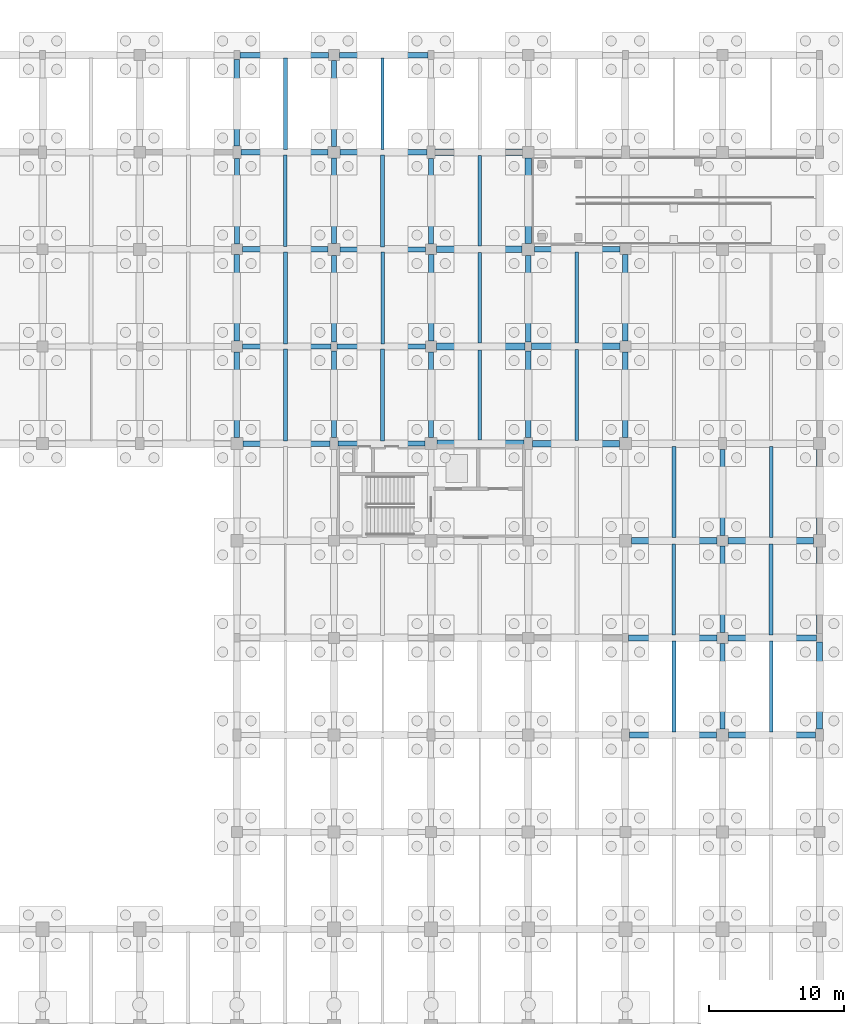
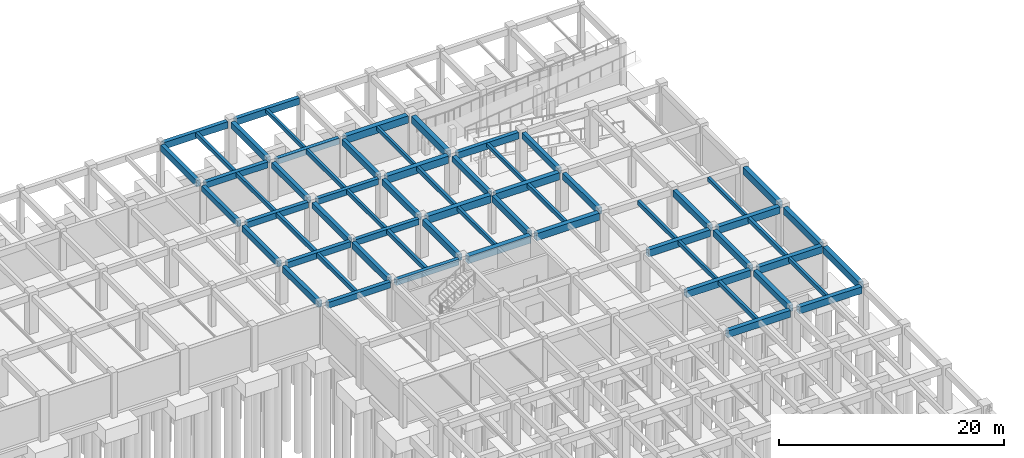
# One storey, part 35 of 47: 64 beams.
"""IFC4 building model written with IfcOpenShell, lengths in metres."""

from ifc_helpers import new_model, si_unit, direction, frame, origin, origin_2d, place, context, subcontext, project, spatial, rectangle, extrude, material, material_profile, profile_set, type_object, element, save


model = new_model("IFC4")

# Units and contexts
model_context = context("Model", 3, precision=1e-05, world=origin(), true_north=direction((0.0, 1.0)))
body_context = subcontext(model_context, "Body", "Model", "MODEL_VIEW")
ifc_project = project(units=[si_unit("LENGTHUNIT", "METRE"), si_unit("AREAUNIT", "SQUARE_METRE"), si_unit("VOLUMEUNIT", "CUBIC_METRE"), si_unit("PLANEANGLEUNIT", "RADIAN"), si_unit("MASSUNIT", "GRAM", prefix="KILO")], contexts=[model_context])

# Site, building, storey
site_placement = place(None, origin())
site = spatial("IfcSite", under=ifc_project, at=site_placement, CompositionType="ELEMENT")
building_placement = place(site_placement, origin())
building = spatial("IfcBuilding", under=site, at=building_placement, Name="Thalmaran Polytechnic", CompositionType="ELEMENT")
storey_placement = place(building_placement, frame((0.0, 0.0, -4.5)))
storey = spatial("IfcBuildingStorey", under=building, at=storey_placement, Name="B1", CompositionType="ELEMENT", Elevation=-4.5)

# Beams
ifc_material = material(Name="Concrete C40/50", Category="concrete")
ifc_material_profile_1 = material_profile(ifc_material, rectangle(XDim=0.5, YDim=0.800048828125, at=origin_2d()), Name="RC 500x800")
ifc_profile_set_1 = profile_set([ifc_material_profile_1], Name="Concrete C40/50")
beam_type_1 = type_object("IfcBeamType", Name="BM-RC02", PredefinedType="BEAM", material=ifc_profile_set_1)
beam_1_placement = place(storey_placement, frame((144.43994140625, 93.60009765625, 3.7900390625), z_axis=(1.0, 0.0, 0.0), x_axis=(0.0, 1.0, 0.0)))
element("IfcBeam", 1, at=beam_1_placement, inside=storey, type_object=beam_type_1, Name="Grid Beam B02 B1 X(20,13)", PredefinedType="BEAM", context=body_context, shape_type="SweptSolid", body=[
    extrude(rectangle(XDim=0.5, YDim=0.800048828125, at=origin_2d()), origin(), (0.0, 0.0, 1.0), 6.4599609375),
])
beam_2_placement = place(storey_placement, frame((144.409912109375, 100.800048828125, 3.7900390625), z_axis=(1.0, 0.0, 0.0), x_axis=(0.0, 1.0, 0.0)))
element("IfcBeam", 2, at=beam_2_placement, inside=storey, type_object=beam_type_1, Name="Grid Beam B02 B1 X(20,14)", PredefinedType="BEAM", context=body_context, shape_type="SweptSolid", body=[
    extrude(rectangle(XDim=0.5, YDim=0.800048828125, at=origin_2d()), origin(), (0.0, 0.0, 1.0), 6.565185546875),
])
beam_3_placement = place(storey_placement, frame((144.39990234375, 108.0, 3.7900390625), z_axis=(1.0, 0.0, 0.0), x_axis=(0.0, 1.0, 0.0)))
element("IfcBeam", 3, at=beam_3_placement, inside=storey, type_object=beam_type_1, Name="Grid Beam B02 B1 X(20,15)", PredefinedType="BEAM", context=body_context, shape_type="SweptSolid", body=[
    extrude(rectangle(XDim=0.5, YDim=0.800048828125, at=origin_2d()), origin(), (0.0, 0.0, 1.0), 6.35009765625),
])
beam_4_placement = place(storey_placement, frame((144.300048828125, 115.199951171875, 3.7900390625), z_axis=(1.0, 0.0, 0.0), x_axis=(0.0, 1.0, 0.0)))
element("IfcBeam", 4, at=beam_4_placement, inside=storey, type_object=beam_type_1, Name="Grid Beam B02 B1 X(20,16)", PredefinedType="BEAM", context=body_context, shape_type="SweptSolid", body=[
    extrude(rectangle(XDim=0.5, YDim=0.800048828125, at=origin_2d()), origin(), (0.0, 0.0, 1.0), 6.4599609375),
])
ifc_material_profile_2 = material_profile(ifc_material, rectangle(XDim=0.449951171875, YDim=0.75, at=origin_2d()), Name="RC 450x750")
ifc_profile_set_2 = profile_set([ifc_material_profile_2], Name="Concrete C40/50")
beam_type_2 = type_object("IfcBeamType", Name="BM-RC03", PredefinedType="BEAM", material=ifc_profile_set_2)
beam_5_placement = place(storey_placement, frame((158.699951171875, 72.0, 3.81494140625), z_axis=(1.0, 0.0, 0.0), x_axis=(0.0, 1.0, 0.0)))
element("IfcBeam", 5, at=beam_5_placement, inside=storey, type_object=beam_type_2, Name="Grid Beam B03 B1 X(22,10)", PredefinedType="BEAM", context=body_context, shape_type="SweptSolid", body=[
    extrude(rectangle(XDim=0.449951171875, YDim=0.75, at=origin_2d()), origin(), (0.0, 0.0, 1.0), 6.4599609375),
])
beam_6_placement = place(storey_placement, frame((158.625, 79.199951171875, 3.81494140625), z_axis=(1.0, 0.0, 0.0), x_axis=(0.0, 1.0, 0.0)))
element("IfcBeam", 6, at=beam_6_placement, inside=storey, type_object=beam_type_2, Name="Grid Beam B03 B1 X(22,11)", PredefinedType="BEAM", context=body_context, shape_type="SweptSolid", body=[
    extrude(rectangle(XDim=0.449951171875, YDim=0.75, at=origin_2d()), origin(), (0.0, 0.0, 1.0), 6.56494140625),
])
beam_7_placement = place(storey_placement, frame((158.85009765625, 86.39990234375, 3.81494140625), z_axis=(1.0, 0.0, 0.0), x_axis=(0.0, 1.0, 0.0)))
element("IfcBeam", 7, at=beam_7_placement, inside=storey, type_object=beam_type_2, Name="Grid Beam B03 B1 X(22,12)", PredefinedType="BEAM", context=body_context, shape_type="SweptSolid", body=[
    extrude(rectangle(XDim=0.449951171875, YDim=0.75, at=origin_2d()), origin(), (0.0, 0.0, 1.0), 6.349853515625),
])
ifc_material_profile_3 = material_profile(ifc_material, rectangle(XDim=0.39990234375, YDim=0.64990234375, at=origin_2d()), Name="RC 400x650")
ifc_profile_set_3 = profile_set([ifc_material_profile_3], Name="Concrete C40/50")
beam_type_3 = type_object("IfcBeamType", Name="BM-RC06", PredefinedType="BEAM", material=ifc_profile_set_3)
beam_8_placement = place(storey_placement, frame((130.0400390625, 93.60009765625, 3.864990234375), z_axis=(1.0, 0.0, 0.0), x_axis=(0.0, 1.0, 0.0)))
element("IfcBeam", 8, at=beam_8_placement, inside=storey, type_object=beam_type_3, Name="Grid Beam B06 B1 X(18,13)", PredefinedType="BEAM", context=body_context, shape_type="SweptSolid", body=[
    extrude(rectangle(XDim=0.39990234375, YDim=0.64990234375, at=origin_2d()), origin(), (0.0, 0.0, 1.0), 6.4599609375),
])
beam_9_placement = place(storey_placement, frame((130.010009765625, 100.800048828125, 3.864990234375), z_axis=(1.0, 0.0, 0.0), x_axis=(0.0, 1.0, 0.0)))
element("IfcBeam", 9, at=beam_9_placement, inside=storey, type_object=beam_type_3, Name="Grid Beam B06 B1 X(18,14)", PredefinedType="BEAM", context=body_context, shape_type="SweptSolid", body=[
    extrude(rectangle(XDim=0.39990234375, YDim=0.64990234375, at=origin_2d()), origin(), (0.0, 0.0, 1.0), 6.56494140625),
])
beam_10_placement = place(storey_placement, frame((130.0, 108.0, 3.864990234375), z_axis=(1.0, 0.0, 0.0), x_axis=(0.0, 1.0, 0.0)))
element("IfcBeam", 10, at=beam_10_placement, inside=storey, type_object=beam_type_3, Name="Grid Beam B06 B1 X(18,15)", PredefinedType="BEAM", context=body_context, shape_type="SweptSolid", body=[
    extrude(rectangle(XDim=0.39990234375, YDim=0.64990234375, at=origin_2d()), origin(), (0.0, 0.0, 1.0), 6.35009765625),
])
beam_11_placement = place(storey_placement, frame((129.89990234375, 115.199951171875, 3.864990234375), z_axis=(1.0, 0.0, 0.0), x_axis=(0.0, 1.0, 0.0)))
element("IfcBeam", 11, at=beam_11_placement, inside=storey, type_object=beam_type_3, Name="Grid Beam B06 B1 X(18,16)", PredefinedType="BEAM", context=body_context, shape_type="SweptSolid", body=[
    extrude(rectangle(XDim=0.39990234375, YDim=0.64990234375, at=origin_2d()), origin(), (0.0, 0.0, 1.0), 6.460205078125),
])
ifc_material_profile_4 = material_profile(ifc_material, rectangle(XDim=0.39990234375, YDim=0.6298828125, at=origin_2d()), Name="RC 400x630")
ifc_profile_set_4 = profile_set([ifc_material_profile_4], Name="Concrete C40/50")
beam_type_4 = type_object("IfcBeamType", Name="BM-RC07", PredefinedType="BEAM", material=ifc_profile_set_4)
beam_12_placement = place(storey_placement, frame((129.60009765625, 101.2099609375, 3.85498046875), z_axis=(0.0, 1.0, 0.0), x_axis=(-1.0, 0.0, 0.0)))
element("IfcBeam", 12, at=beam_12_placement, inside=storey, type_object=beam_type_4, Name="Grid Beam B07 B1 Y(18,14)", PredefinedType="BEAM", context=body_context, shape_type="SweptSolid", body=[
    extrude(rectangle(XDim=0.39990234375, YDim=0.6298828125, at=origin_2d()), origin(), (0.0, 0.0, 1.0), 6.39013671875),
])
beam_13_placement = place(storey_placement, frame((136.800048828125, 101.125, 3.875), z_axis=(0.0, 1.0, 0.0), x_axis=(-1.0, 0.0, 0.0)))
element("IfcBeam", 13, at=beam_13_placement, inside=storey, type_object=beam_type_4, Name="Grid Beam B07 B1 Y(19,14)", PredefinedType="BEAM", context=body_context, shape_type="SweptSolid", body=[
    extrude(rectangle(XDim=0.39990234375, YDim=0.6298828125, at=origin_2d()), origin(), (0.0, 0.0, 1.0), 6.425048828125),
])
beam_14_placement = place(storey_placement, frame((144.0, 101.2099609375, 3.875), z_axis=(0.0, 1.0, 0.0), x_axis=(-1.0, 0.0, 0.0)))
element("IfcBeam", 14, at=beam_14_placement, inside=storey, type_object=beam_type_4, Name="Grid Beam B07 B1 Y(20,14)", PredefinedType="BEAM", context=body_context, shape_type="SweptSolid", body=[
    extrude(rectangle(XDim=0.39990234375, YDim=0.6298828125, at=origin_2d()), origin(), (0.0, 0.0, 1.0), 6.39013671875),
])
beam_15_placement = place(storey_placement, frame((151.199951171875, 101.125, 3.875), z_axis=(0.0, 1.0, 0.0), x_axis=(-1.0, 0.0, 0.0)))
element("IfcBeam", 15, at=beam_15_placement, inside=storey, type_object=beam_type_4, Name="Grid Beam B07 B1 Y(21,14)", PredefinedType="BEAM", context=body_context, shape_type="SweptSolid", body=[
    extrude(rectangle(XDim=0.39990234375, YDim=0.6298828125, at=origin_2d()), origin(), (0.0, 0.0, 1.0), 6.425048828125),
])
beam_16_placement = place(storey_placement, frame((158.39990234375, 101.2099609375, 3.875), z_axis=(0.0, 1.0, 0.0), x_axis=(-1.0, 0.0, 0.0)))
element("IfcBeam", 16, at=beam_16_placement, inside=storey, type_object=beam_type_4, Name="Grid Beam B07 B1 Y(22,14)", PredefinedType="BEAM", context=body_context, shape_type="SweptSolid", body=[
    extrude(rectangle(XDim=0.39990234375, YDim=0.6298828125, at=origin_2d()), origin(), (0.0, 0.0, 1.0), 6.39013671875),
])
ifc_material_profile_5 = material_profile(ifc_material, rectangle(XDim=0.389892578125, YDim=0.68505859375, at=origin_2d()), Name="RC 390x685")
ifc_profile_set_5 = profile_set([ifc_material_profile_5], Name="Concrete C40/50")
beam_type_5 = type_object("IfcBeamType", Name="BM-RC08", PredefinedType="BEAM", material=ifc_profile_set_5)
beam_17_placement = place(storey_placement, frame((129.60009765625, 115.64990234375, 3.827392578125), z_axis=(0.0, 1.0, 0.0), x_axis=(-1.0, 0.0, 0.0)))
element("IfcBeam", 17, at=beam_17_placement, inside=storey, type_object=beam_type_5, Name="Grid Beam B08 B1 Y(18,16)", PredefinedType="BEAM", context=body_context, shape_type="SweptSolid", body=[
    extrude(rectangle(XDim=0.389892578125, YDim=0.68505859375, at=origin_2d()), origin(), (0.0, 0.0, 1.0), 6.425048828125),
])
beam_18_placement = place(storey_placement, frame((136.800048828125, 115.639892578125, 3.847412109375), z_axis=(0.0, 1.0, 0.0), x_axis=(-1.0, 0.0, 0.0)))
element("IfcBeam", 18, at=beam_18_placement, inside=storey, type_object=beam_type_5, Name="Grid Beam B08 B1 Y(19,16)", PredefinedType="BEAM", context=body_context, shape_type="SweptSolid", body=[
    extrude(rectangle(XDim=0.389892578125, YDim=0.68505859375, at=origin_2d()), origin(), (0.0, 0.0, 1.0), 6.35009765625),
])
ifc_material_profile_6 = material_profile(ifc_material, rectangle(XDim=0.389892578125, YDim=0.68994140625, at=origin_2d()), Name="RC 390x690")
ifc_profile_set_6 = profile_set([ifc_material_profile_6], Name="Concrete C40/50")
beam_type_6 = type_object("IfcBeamType", Name="BM-RC09", PredefinedType="BEAM", material=ifc_profile_set_6)
beam_19_placement = place(storey_placement, frame((165.60009765625, 79.610107421875, 3.844970703125), z_axis=(0.0, 1.0, 0.0), x_axis=(-1.0, 0.0, 0.0)))
element("IfcBeam", 19, at=beam_19_placement, inside=storey, type_object=beam_type_6, Name="Grid Beam B09 B1 Y(23,11)", PredefinedType="BEAM", context=body_context, shape_type="SweptSolid", body=[
    extrude(rectangle(XDim=0.389892578125, YDim=0.68994140625, at=origin_2d()), origin(), (0.0, 0.0, 1.0), 6.389892578125),
])
ifc_material_profile_7 = material_profile(ifc_material, rectangle(XDim=0.389892578125, YDim=0.695068359375, at=origin_2d()), Name="RC 390x695")
ifc_profile_set_7 = profile_set([ifc_material_profile_7], Name="Concrete C40/50")
beam_type_7 = type_object("IfcBeamType", Name="BM-RC10", PredefinedType="BEAM", material=ifc_profile_set_7)
beam_20_placement = place(storey_placement, frame((129.60009765625, 94.0400390625, 3.822509765625), z_axis=(0.0, 1.0, 0.0), x_axis=(-1.0, 0.0, 0.0)))
element("IfcBeam", 20, at=beam_20_placement, inside=storey, type_object=beam_type_7, Name="Grid Beam B10 B1 Y(18,13)", PredefinedType="BEAM", context=body_context, shape_type="SweptSolid", body=[
    extrude(rectangle(XDim=0.389892578125, YDim=0.695068359375, at=origin_2d()), origin(), (0.0, 0.0, 1.0), 6.349853515625),
])
beam_21_placement = place(storey_placement, frame((136.800048828125, 94.050048828125, 3.842529296875), z_axis=(0.0, 1.0, 0.0), x_axis=(-1.0, 0.0, 0.0)))
element("IfcBeam", 21, at=beam_21_placement, inside=storey, type_object=beam_type_7, Name="Grid Beam B10 B1 Y(19,13)", PredefinedType="BEAM", context=body_context, shape_type="SweptSolid", body=[
    extrude(rectangle(XDim=0.389892578125, YDim=0.695068359375, at=origin_2d()), origin(), (0.0, 0.0, 1.0), 6.425048828125),
])
beam_22_placement = place(storey_placement, frame((144.0, 94.0400390625, 3.842529296875), z_axis=(0.0, 1.0, 0.0), x_axis=(-1.0, 0.0, 0.0)))
element("IfcBeam", 22, at=beam_22_placement, inside=storey, type_object=beam_type_7, Name="Grid Beam B10 B1 Y(20,13)", PredefinedType="BEAM", context=body_context, shape_type="SweptSolid", body=[
    extrude(rectangle(XDim=0.389892578125, YDim=0.695068359375, at=origin_2d()), origin(), (0.0, 0.0, 1.0), 6.349853515625),
])
beam_23_placement = place(storey_placement, frame((151.199951171875, 94.050048828125, 3.842529296875), z_axis=(0.0, 1.0, 0.0), x_axis=(-1.0, 0.0, 0.0)))
element("IfcBeam", 23, at=beam_23_placement, inside=storey, type_object=beam_type_7, Name="Grid Beam B10 B1 Y(21,13)", PredefinedType="BEAM", context=body_context, shape_type="SweptSolid", body=[
    extrude(rectangle(XDim=0.389892578125, YDim=0.695068359375, at=origin_2d()), origin(), (0.0, 0.0, 1.0), 6.425048828125),
])
beam_24_placement = place(storey_placement, frame((158.39990234375, 94.0400390625, 3.842529296875), z_axis=(0.0, 1.0, 0.0), x_axis=(-1.0, 0.0, 0.0)))
element("IfcBeam", 24, at=beam_24_placement, inside=storey, type_object=beam_type_7, Name="Grid Beam B10 B1 Y(22,13)", PredefinedType="BEAM", context=body_context, shape_type="SweptSolid", body=[
    extrude(rectangle(XDim=0.389892578125, YDim=0.695068359375, at=origin_2d()), origin(), (0.0, 0.0, 1.0), 6.349853515625),
])
ifc_material_profile_8 = material_profile(ifc_material, rectangle(XDim=0.300048828125, YDim=0.449951171875, at=origin_2d()), Name="RC 300x450")
ifc_profile_set_8 = profile_set([ifc_material_profile_8], Name="Concrete C40/50")
beam_type_8 = type_object("IfcBeamType", Name="BM-RC12", PredefinedType="JOIST", material=ifc_profile_set_8)
beam_25_placement = place(storey_placement, frame((133.199951171875, 101.0, 3.965087890625), z_axis=(0.0, 1.0, 0.0), x_axis=(-1.0, 0.0, 0.0)))
element("IfcBeam", 25, at=beam_25_placement, inside=storey, type_object=beam_type_8, Name="Secondary Floor Rib RB02 B1 (18,14)", PredefinedType="JOIST", context=body_context, shape_type="SweptSolid", body=[
    extrude(rectangle(XDim=0.300048828125, YDim=0.449951171875, at=origin_2d()), origin(), (0.0, 0.0, 1.0), 6.800048828125),
])
beam_26_placement = place(storey_placement, frame((140.39990234375, 93.7900390625, 3.965087890625), z_axis=(0.0, 1.0, 0.0), x_axis=(-1.0, 0.0, 0.0)))
element("IfcBeam", 26, at=beam_26_placement, inside=storey, type_object=beam_type_8, Name="Secondary Floor Rib RB02 B1 (19,13)", PredefinedType="JOIST", context=body_context, shape_type="SweptSolid", body=[
    extrude(rectangle(XDim=0.300048828125, YDim=0.449951171875, at=origin_2d()), origin(), (0.0, 0.0, 1.0), 6.820068359375),
])
beam_27_placement = place(storey_placement, frame((162.0, 72.22509765625, 3.965087890625), z_axis=(0.0, 1.0, 0.0), x_axis=(-1.0, 0.0, 0.0)))
element("IfcBeam", 27, at=beam_27_placement, inside=storey, type_object=beam_type_8, Name="Secondary Floor Rib RB02 B1 (22,10)", PredefinedType="JOIST", context=body_context, shape_type="SweptSolid", body=[
    extrude(rectangle(XDim=0.300048828125, YDim=0.449951171875, at=origin_2d()), origin(), (0.0, 0.0, 1.0), 6.75),
])
ifc_material_profile_9 = material_profile(ifc_material, rectangle(XDim=0.280029296875, YDim=0.449951171875, at=origin_2d()), Name="RC 280x450")
ifc_profile_set_9 = profile_set([ifc_material_profile_9], Name="Concrete C40/50")
beam_type_9 = type_object("IfcBeamType", Name="BM-RC13", PredefinedType="JOIST", material=ifc_profile_set_9)
beam_28_placement = place(storey_placement, frame((133.199951171875, 115.39990234375, 3.965087890625), z_axis=(0.0, 1.0, 0.0), x_axis=(-1.0, 0.0, 0.0)))
element("IfcBeam", 28, at=beam_28_placement, inside=storey, type_object=beam_type_9, Name="Secondary Floor Rib RB03 B1 (18,16)", PredefinedType="JOIST", context=body_context, shape_type="SweptSolid", body=[
    extrude(rectangle(XDim=0.280029296875, YDim=0.449951171875, at=origin_2d()), origin(), (0.0, 0.0, 1.0), 6.800048828125),
])
beam_29_placement = place(storey_placement, frame((140.39990234375, 108.18994140625, 3.965087890625), z_axis=(0.0, 1.0, 0.0), x_axis=(-1.0, 0.0, 0.0)))
element("IfcBeam", 29, at=beam_29_placement, inside=storey, type_object=beam_type_9, Name="Secondary Floor Rib RB03 B1 (19,15)", PredefinedType="JOIST", context=body_context, shape_type="SweptSolid", body=[
    extrude(rectangle(XDim=0.280029296875, YDim=0.449951171875, at=origin_2d()), origin(), (0.0, 0.0, 1.0), 6.820068359375),
])
beam_30_placement = place(storey_placement, frame((147.60009765625, 101.050048828125, 3.965087890625), z_axis=(0.0, 1.0, 0.0), x_axis=(-1.0, 0.0, 0.0)))
element("IfcBeam", 30, at=beam_30_placement, inside=storey, type_object=beam_type_9, Name="Secondary Floor Rib RB03 B1 (20,14)", PredefinedType="JOIST", context=body_context, shape_type="SweptSolid", body=[
    extrude(rectangle(XDim=0.280029296875, YDim=0.449951171875, at=origin_2d()), origin(), (0.0, 0.0, 1.0), 6.699951171875),
])
beam_31_placement = place(storey_placement, frame((154.800048828125, 93.840087890625, 3.965087890625), z_axis=(0.0, 1.0, 0.0), x_axis=(-1.0, 0.0, 0.0)))
element("IfcBeam", 31, at=beam_31_placement, inside=storey, type_object=beam_type_9, Name="Secondary Floor Rib RB03 B1 (21,13)", PredefinedType="JOIST", context=body_context, shape_type="SweptSolid", body=[
    extrude(rectangle(XDim=0.280029296875, YDim=0.449951171875, at=origin_2d()), origin(), (0.0, 0.0, 1.0), 6.719970703125),
])
beam_32_placement = place(storey_placement, frame((162.0, 86.625, 3.965087890625), z_axis=(0.0, 1.0, 0.0), x_axis=(-1.0, 0.0, 0.0)))
element("IfcBeam", 32, at=beam_32_placement, inside=storey, type_object=beam_type_9, Name="Secondary Floor Rib RB03 B1 (22,12)", PredefinedType="JOIST", context=body_context, shape_type="SweptSolid", body=[
    extrude(rectangle(XDim=0.280029296875, YDim=0.449951171875, at=origin_2d()), origin(), (0.0, 0.0, 1.0), 6.75),
])
beam_33_placement = place(storey_placement, frame((169.199951171875, 79.429931640625, 3.965087890625), z_axis=(0.0, 1.0, 0.0), x_axis=(-1.0, 0.0, 0.0)))
element("IfcBeam", 33, at=beam_33_placement, inside=storey, type_object=beam_type_9, Name="Secondary Floor Rib RB03 B1 (23,11)", PredefinedType="JOIST", context=body_context, shape_type="SweptSolid", body=[
    extrude(rectangle(XDim=0.280029296875, YDim=0.449951171875, at=origin_2d()), origin(), (0.0, 0.0, 1.0), 6.739990234375),
])
ifc_material_profile_10 = material_profile(ifc_material, rectangle(XDim=0.39990234375, YDim=0.719970703125, at=origin_2d()), Name="RC 400x720")
ifc_profile_set_10 = profile_set([ifc_material_profile_10], Name="Concrete C40/50")
beam_type_10 = type_object("IfcBeamType", Name="BM-SP01", PredefinedType="SPANDREL", material=ifc_profile_set_10)
for number, where, z_axis, x_axis, name in (
    (34, (129.824951171875, 122.39990234375, 3.830078125), (1.0, 0.0, 0.0), (0.0, 1.0, 0.0), "Grid Beam SP01 B1 X(18,17)"),
    (35, (137.2099609375, 122.39990234375, 3.830078125), (1.0, 0.0, 0.0), (0.0, 1.0, 0.0), "Grid Beam SP01 B1 X(19,17)"),
):
    element("IfcBeam", number, at=place(storey_placement, frame(where, z_axis=z_axis, x_axis=x_axis)), inside=storey, type_object=beam_type_10, Name=name, PredefinedType="SPANDREL", context=body_context, shape_type="SweptSolid", body=[
        extrude(rectangle(XDim=0.39990234375, YDim=0.719970703125, at=origin_2d()), origin(), (0.0, 0.0, 1.0), 6.56494140625),
    ])
beam_34_placement = place(storey_placement, frame((151.64990234375, 108.0, 3.830078125), z_axis=(1.0, 0.0, 0.0), x_axis=(0.0, 1.0, 0.0)))
element("IfcBeam", 36, at=beam_34_placement, inside=storey, type_object=beam_type_10, Name="Grid Beam SP01 B1 X(21,15)", PredefinedType="SPANDREL", context=body_context, shape_type="SweptSolid", body=[
    extrude(rectangle(XDim=0.39990234375, YDim=0.719970703125, at=origin_2d()), origin(), (0.0, 0.0, 1.0), 6.35009765625),
])
ifc_material_profile_11 = material_profile(ifc_material, rectangle(XDim=0.449951171875, YDim=0.7548828125, at=origin_2d()), Name="RC 450x755")
ifc_profile_set_11 = profile_set([ifc_material_profile_11], Name="Concrete C40/50")
beam_type_11 = type_object("IfcBeamType", Name="BM-SP02", PredefinedType="SPANDREL", material=ifc_profile_set_11)
beam_35_placement = place(storey_placement, frame((151.199951171875, 108.449951171875, 3.8125), z_axis=(0.0, 1.0, 0.0), x_axis=(-1.0, 0.0, 0.0)))
element("IfcBeam", 37, at=beam_35_placement, inside=storey, type_object=beam_type_11, Name="Grid Beam SP02 B1 Y(21,15)", PredefinedType="SPANDREL", context=body_context, shape_type="SweptSolid", body=[
    extrude(rectangle(XDim=0.449951171875, YDim=0.7548828125, at=origin_2d()), origin(), (0.0, 0.0, 1.0), 6.31005859375),
])
for number, where, z_axis, x_axis, name in (
    (38, (172.800048828125, 72.449951171875, 3.8125), (0.0, 1.0, 0.0), (-1.0, 0.0, 0.0), "Grid Beam SP02 B1 Y(24,10)"),
    (39, (172.800048828125, 79.52490234375, 3.8125), (0.0, 1.0, 0.0), (-1.0, 0.0, 0.0), "Grid Beam SP02 B1 Y(24,11)"),
):
    element("IfcBeam", number, at=place(storey_placement, frame(where, z_axis=z_axis, x_axis=x_axis)), inside=storey, type_object=beam_type_11, Name=name, PredefinedType="SPANDREL", context=body_context, shape_type="SweptSolid", body=[
        extrude(rectangle(XDim=0.449951171875, YDim=0.7548828125, at=origin_2d()), origin(), (0.0, 0.0, 1.0), 6.425048828125),
    ])
beam_36_placement = place(storey_placement, frame((172.800048828125, 86.85009765625, 3.8125), z_axis=(0.0, 1.0, 0.0), x_axis=(-1.0, 0.0, 0.0)))
element("IfcBeam", 40, at=beam_36_placement, inside=storey, type_object=beam_type_11, Name="Grid Beam SP02 B1 Y(24,12)", PredefinedType="SPANDREL", context=body_context, shape_type="SweptSolid", body=[
    extrude(rectangle(XDim=0.449951171875, YDim=0.7548828125, at=origin_2d()), origin(), (0.0, 0.0, 1.0), 6.309814453125),
])
ifc_material_profile_12 = material_profile(ifc_material, rectangle(XDim=0.47998046875, YDim=0.780029296875, at=origin_2d()), Name="RC 480x780")
ifc_profile_set_12 = profile_set([ifc_material_profile_12], Name="Concrete C40/50")
beam_type_12 = type_object("IfcBeamType", Name="BM-ZB01", PredefinedType="BEAM", material=ifc_profile_set_12)
beam_37_placement = place(storey_placement, frame((151.5, 93.60009765625, 3.800048828125), z_axis=(1.0, 0.0, 0.0), x_axis=(0.0, 1.0, 0.0)))
element("IfcBeam", 41, at=beam_37_placement, inside=storey, type_object=beam_type_12, Name="Grid Beam ZB01 B1 X(21,13)", PredefinedType="BEAM", context=body_context, shape_type="SweptSolid", body=[
    extrude(rectangle(XDim=0.47998046875, YDim=0.780029296875, at=origin_2d()), origin(), (0.0, 0.0, 1.0), 6.4599609375),
])
beam_38_placement = place(storey_placement, frame((151.425048828125, 100.800048828125, 3.800048828125), z_axis=(1.0, 0.0, 0.0), x_axis=(0.0, 1.0, 0.0)))
element("IfcBeam", 42, at=beam_38_placement, inside=storey, type_object=beam_type_12, Name="Grid Beam ZB01 B1 X(21,14)", PredefinedType="BEAM", context=body_context, shape_type="SweptSolid", body=[
    extrude(rectangle(XDim=0.47998046875, YDim=0.780029296875, at=origin_2d()), origin(), (0.0, 0.0, 1.0), 6.56494140625),
])
ifc_material_profile_13 = material_profile(ifc_material, rectangle(XDim=0.4599609375, YDim=0.739990234375, at=origin_2d()), Name="RC 460x740")
ifc_profile_set_13 = profile_set([ifc_material_profile_13], Name="Concrete C40/50")
beam_type_13 = type_object("IfcBeamType", Name="BM-ZB02", PredefinedType="BEAM", material=ifc_profile_set_13)
beam_39_placement = place(storey_placement, frame((166.0400390625, 72.0, 3.820068359375), z_axis=(1.0, 0.0, 0.0), x_axis=(0.0, 1.0, 0.0)))
element("IfcBeam", 43, at=beam_39_placement, inside=storey, type_object=beam_type_13, Name="Grid Beam ZB02 B1 X(23,10)", PredefinedType="BEAM", context=body_context, shape_type="SweptSolid", body=[
    extrude(rectangle(XDim=0.4599609375, YDim=0.739990234375, at=origin_2d()), origin(), (0.0, 0.0, 1.0), 6.4599609375),
])
beam_40_placement = place(storey_placement, frame((166.010009765625, 79.199951171875, 3.820068359375), z_axis=(1.0, 0.0, 0.0), x_axis=(0.0, 1.0, 0.0)))
element("IfcBeam", 44, at=beam_40_placement, inside=storey, type_object=beam_type_13, Name="Grid Beam ZB02 B1 X(23,11)", PredefinedType="BEAM", context=body_context, shape_type="SweptSolid", body=[
    extrude(rectangle(XDim=0.4599609375, YDim=0.739990234375, at=origin_2d()), origin(), (0.0, 0.0, 1.0), 6.56494140625),
])
beam_41_placement = place(storey_placement, frame((166.0, 86.39990234375, 3.820068359375), z_axis=(1.0, 0.0, 0.0), x_axis=(0.0, 1.0, 0.0)))
element("IfcBeam", 45, at=beam_41_placement, inside=storey, type_object=beam_type_13, Name="Grid Beam ZB02 B1 X(23,12)", PredefinedType="BEAM", context=body_context, shape_type="SweptSolid", body=[
    extrude(rectangle(XDim=0.4599609375, YDim=0.739990234375, at=origin_2d()), origin(), (0.0, 0.0, 1.0), 6.35009765625),
])
ifc_material_profile_14 = material_profile(ifc_material, rectangle(XDim=0.3798828125, YDim=0.639892578125, at=origin_2d()), Name="RC 380x640")
ifc_profile_set_14 = profile_set([ifc_material_profile_14], Name="Concrete C40/50")
beam_type_14 = type_object("IfcBeamType", Name="BM-ZB05", PredefinedType="BEAM", material=ifc_profile_set_14)
beam_42_placement = place(storey_placement, frame((137.10009765625, 93.60009765625, 3.8701171875), z_axis=(1.0, 0.0, 0.0), x_axis=(0.0, 1.0, 0.0)))
element("IfcBeam", 46, at=beam_42_placement, inside=storey, type_object=beam_type_14, Name="Grid Beam ZB05 B1 X(19,13)", PredefinedType="BEAM", context=body_context, shape_type="SweptSolid", body=[
    extrude(rectangle(XDim=0.3798828125, YDim=0.639892578125, at=origin_2d()), origin(), (0.0, 0.0, 1.0), 6.4599609375),
])
beam_43_placement = place(storey_placement, frame((137.02490234375, 100.800048828125, 3.8701171875), z_axis=(1.0, 0.0, 0.0), x_axis=(0.0, 1.0, 0.0)))
element("IfcBeam", 47, at=beam_43_placement, inside=storey, type_object=beam_type_14, Name="Grid Beam ZB05 B1 X(19,14)", PredefinedType="BEAM", context=body_context, shape_type="SweptSolid", body=[
    extrude(rectangle(XDim=0.3798828125, YDim=0.639892578125, at=origin_2d()), origin(), (0.0, 0.0, 1.0), 6.565185546875),
])
beam_44_placement = place(storey_placement, frame((137.25, 108.0, 3.8701171875), z_axis=(1.0, 0.0, 0.0), x_axis=(0.0, 1.0, 0.0)))
element("IfcBeam", 48, at=beam_44_placement, inside=storey, type_object=beam_type_14, Name="Grid Beam ZB05 B1 X(19,15)", PredefinedType="BEAM", context=body_context, shape_type="SweptSolid", body=[
    extrude(rectangle(XDim=0.3798828125, YDim=0.639892578125, at=origin_2d()), origin(), (0.0, 0.0, 1.0), 6.35009765625),
])
beam_45_placement = place(storey_placement, frame((137.239990234375, 115.199951171875, 3.8701171875), z_axis=(1.0, 0.0, 0.0), x_axis=(0.0, 1.0, 0.0)))
element("IfcBeam", 49, at=beam_45_placement, inside=storey, type_object=beam_type_14, Name="Grid Beam ZB05 B1 X(19,16)", PredefinedType="BEAM", context=body_context, shape_type="SweptSolid", body=[
    extrude(rectangle(XDim=0.3798828125, YDim=0.639892578125, at=origin_2d()), origin(), (0.0, 0.0, 1.0), 6.4599609375),
])
ifc_material_profile_15 = material_profile(ifc_material, rectangle(XDim=0.3798828125, YDim=0.635009765625, at=origin_2d()), Name="RC 380x635")
ifc_profile_set_15 = profile_set([ifc_material_profile_15], Name="Concrete C40/50")
beam_type_15 = type_object("IfcBeamType", Name="BM-ZB06", PredefinedType="BEAM", material=ifc_profile_set_15)
beam_46_placement = place(storey_placement, frame((129.60009765625, 108.39990234375, 3.8525390625), z_axis=(0.0, 1.0, 0.0), x_axis=(-1.0, 0.0, 0.0)))
element("IfcBeam", 50, at=beam_46_placement, inside=storey, type_object=beam_type_15, Name="Grid Beam ZB06 B1 Y(18,15)", PredefinedType="BEAM", context=body_context, shape_type="SweptSolid", body=[
    extrude(rectangle(XDim=0.3798828125, YDim=0.635009765625, at=origin_2d()), origin(), (0.0, 0.0, 1.0), 6.35009765625),
])
beam_47_placement = place(storey_placement, frame((136.800048828125, 108.449951171875, 3.87255859375), z_axis=(0.0, 1.0, 0.0), x_axis=(-1.0, 0.0, 0.0)))
element("IfcBeam", 51, at=beam_47_placement, inside=storey, type_object=beam_type_15, Name="Grid Beam ZB06 B1 Y(19,15)", PredefinedType="BEAM", context=body_context, shape_type="SweptSolid", body=[
    extrude(rectangle(XDim=0.3798828125, YDim=0.635009765625, at=origin_2d()), origin(), (0.0, 0.0, 1.0), 6.31005859375),
])
beam_48_placement = place(storey_placement, frame((144.0, 108.39990234375, 3.87255859375), z_axis=(0.0, 1.0, 0.0), x_axis=(-1.0, 0.0, 0.0)))
element("IfcBeam", 52, at=beam_48_placement, inside=storey, type_object=beam_type_15, Name="Grid Beam ZB06 B1 Y(20,15)", PredefinedType="BEAM", context=body_context, shape_type="SweptSolid", body=[
    extrude(rectangle(XDim=0.3798828125, YDim=0.635009765625, at=origin_2d()), origin(), (0.0, 0.0, 1.0), 6.35009765625),
])
ifc_material_profile_16 = material_profile(ifc_material, rectangle(XDim=0.39990234375, YDim=0.68505859375, at=origin_2d()), Name="RC 400x685")
ifc_profile_set_16 = profile_set([ifc_material_profile_16], Name="Concrete C40/50")
beam_type_16 = type_object("IfcBeamType", Name="BM-ZB07", PredefinedType="BEAM", material=ifc_profile_set_16)
beam_49_placement = place(storey_placement, frame((165.60009765625, 72.43994140625, 3.847412109375), z_axis=(0.0, 1.0, 0.0), x_axis=(-1.0, 0.0, 0.0)))
element("IfcBeam", 53, at=beam_49_placement, inside=storey, type_object=beam_type_16, Name="Grid Beam ZB07 B1 Y(23,10)", PredefinedType="BEAM", context=body_context, shape_type="SweptSolid", body=[
    extrude(rectangle(XDim=0.39990234375, YDim=0.68505859375, at=origin_2d()), origin(), (0.0, 0.0, 1.0), 6.35009765625),
])
ifc_material_profile_17 = material_profile(ifc_material, rectangle(XDim=0.39990234375, YDim=0.695068359375, at=origin_2d()), Name="RC 400x695")
ifc_profile_set_17 = profile_set([ifc_material_profile_17], Name="Concrete C40/50")
beam_type_17 = type_object("IfcBeamType", Name="BM-ZB08", PredefinedType="BEAM", material=ifc_profile_set_17)
beam_50_placement = place(storey_placement, frame((165.60009765625, 86.800048828125, 3.842529296875), z_axis=(0.0, 1.0, 0.0), x_axis=(-1.0, 0.0, 0.0)))
element("IfcBeam", 54, at=beam_50_placement, inside=storey, type_object=beam_type_17, Name="Grid Beam ZB08 B1 Y(23,12)", PredefinedType="BEAM", context=body_context, shape_type="SweptSolid", body=[
    extrude(rectangle(XDim=0.39990234375, YDim=0.695068359375, at=origin_2d()), origin(), (0.0, 0.0, 1.0), 6.349853515625),
])
ifc_material_profile_18 = material_profile(ifc_material, rectangle(XDim=0.280029296875, YDim=0.47998046875, at=origin_2d()), Name="RC 280x480")
ifc_profile_set_18 = profile_set([ifc_material_profile_18], Name="Concrete C40/50")
beam_type_18 = type_object("IfcBeamType", Name="BM-ZJ01", PredefinedType="JOIST", material=ifc_profile_set_18)
beam_51_placement = place(storey_placement, frame((133.199951171875, 93.800048828125, 3.949951171875), z_axis=(0.0, 1.0, 0.0), x_axis=(-1.0, 0.0, 0.0)))
element("IfcBeam", 55, at=beam_51_placement, inside=storey, type_object=beam_type_18, Name="Secondary Floor Rib ZJ01 B1 (18,13)", PredefinedType="JOIST", context=body_context, shape_type="SweptSolid", body=[
    extrude(rectangle(XDim=0.280029296875, YDim=0.47998046875, at=origin_2d()), origin(), (0.0, 0.0, 1.0), 6.800048828125),
])
ifc_material_profile_19 = material_profile(ifc_material, rectangle(XDim=0.260009765625, YDim=0.43994140625, at=origin_2d()), Name="RC 260x440")
ifc_profile_set_19 = profile_set([ifc_material_profile_19], Name="Concrete C40/50")
beam_type_19 = type_object("IfcBeamType", Name="BM-ZJ02", PredefinedType="JOIST", material=ifc_profile_set_19)
beam_52_placement = place(storey_placement, frame((133.199951171875, 108.199951171875, 3.969970703125), z_axis=(0.0, 1.0, 0.0), x_axis=(-1.0, 0.0, 0.0)))
element("IfcBeam", 56, at=beam_52_placement, inside=storey, type_object=beam_type_19, Name="Secondary Floor Rib ZJ02 B1 (18,15)", PredefinedType="JOIST", context=body_context, shape_type="SweptSolid", body=[
    extrude(rectangle(XDim=0.260009765625, YDim=0.43994140625, at=origin_2d()), origin(), (0.0, 0.0, 1.0), 6.800048828125),
])
beam_53_placement = place(storey_placement, frame((140.39990234375, 100.989990234375, 3.969970703125), z_axis=(0.0, 1.0, 0.0), x_axis=(-1.0, 0.0, 0.0)))
element("IfcBeam", 57, at=beam_53_placement, inside=storey, type_object=beam_type_19, Name="Secondary Floor Rib ZJ02 B1 (19,14)", PredefinedType="JOIST", context=body_context, shape_type="SweptSolid", body=[
    extrude(rectangle(XDim=0.260009765625, YDim=0.43994140625, at=origin_2d()), origin(), (0.0, 0.0, 1.0), 6.820068359375),
])
beam_54_placement = place(storey_placement, frame((147.60009765625, 93.85009765625, 3.969970703125), z_axis=(0.0, 1.0, 0.0), x_axis=(-1.0, 0.0, 0.0)))
element("IfcBeam", 58, at=beam_54_placement, inside=storey, type_object=beam_type_19, Name="Secondary Floor Rib ZJ02 B1 (20,13)", PredefinedType="JOIST", context=body_context, shape_type="SweptSolid", body=[
    extrude(rectangle(XDim=0.260009765625, YDim=0.43994140625, at=origin_2d()), origin(), (0.0, 0.0, 1.0), 6.699951171875),
])
beam_55_placement = place(storey_placement, frame((162.0, 79.425048828125, 3.969970703125), z_axis=(0.0, 1.0, 0.0), x_axis=(-1.0, 0.0, 0.0)))
element("IfcBeam", 59, at=beam_55_placement, inside=storey, type_object=beam_type_19, Name="Secondary Floor Rib ZJ02 B1 (22,11)", PredefinedType="JOIST", context=body_context, shape_type="SweptSolid", body=[
    extrude(rectangle(XDim=0.260009765625, YDim=0.43994140625, at=origin_2d()), origin(), (0.0, 0.0, 1.0), 6.75),
])
beam_56_placement = place(storey_placement, frame((169.199951171875, 72.22998046875, 3.969970703125), z_axis=(0.0, 1.0, 0.0), x_axis=(-1.0, 0.0, 0.0)))
element("IfcBeam", 60, at=beam_56_placement, inside=storey, type_object=beam_type_19, Name="Secondary Floor Rib ZJ02 B1 (23,10)", PredefinedType="JOIST", context=body_context, shape_type="SweptSolid", body=[
    extrude(rectangle(XDim=0.260009765625, YDim=0.43994140625, at=origin_2d()), origin(), (0.0, 0.0, 1.0), 6.739990234375),
])
ifc_material_profile_20 = material_profile(ifc_material, rectangle(XDim=0.25, YDim=0.419921875, at=origin_2d()), Name="RC 250x420")
ifc_profile_set_20 = profile_set([ifc_material_profile_20], Name="Concrete C40/50")
beam_type_20 = type_object("IfcBeamType", Name="BM-ZJ03", PredefinedType="JOIST", material=ifc_profile_set_20)
beam_57_placement = place(storey_placement, frame((140.39990234375, 115.389892578125, 3.97998046875), z_axis=(0.0, 1.0, 0.0), x_axis=(-1.0, 0.0, 0.0)))
element("IfcBeam", 61, at=beam_57_placement, inside=storey, type_object=beam_type_20, Name="Secondary Floor Rib ZJ03 B1 (19,16)", PredefinedType="JOIST", context=body_context, shape_type="SweptSolid", body=[
    extrude(rectangle(XDim=0.25, YDim=0.419921875, at=origin_2d()), origin(), (0.0, 0.0, 1.0), 6.81005859375),
])
beam_58_placement = place(storey_placement, frame((147.60009765625, 108.25, 3.97998046875), z_axis=(0.0, 1.0, 0.0), x_axis=(-1.0, 0.0, 0.0)))
element("IfcBeam", 62, at=beam_58_placement, inside=storey, type_object=beam_type_20, Name="Secondary Floor Rib ZJ03 B1 (20,15)", PredefinedType="JOIST", context=body_context, shape_type="SweptSolid", body=[
    extrude(rectangle(XDim=0.25, YDim=0.419921875, at=origin_2d()), origin(), (0.0, 0.0, 1.0), 6.699951171875),
])
beam_59_placement = place(storey_placement, frame((154.800048828125, 101.0400390625, 3.97998046875), z_axis=(0.0, 1.0, 0.0), x_axis=(-1.0, 0.0, 0.0)))
element("IfcBeam", 63, at=beam_59_placement, inside=storey, type_object=beam_type_20, Name="Secondary Floor Rib ZJ03 B1 (21,14)", PredefinedType="JOIST", context=body_context, shape_type="SweptSolid", body=[
    extrude(rectangle(XDim=0.25, YDim=0.419921875, at=origin_2d()), origin(), (0.0, 0.0, 1.0), 6.760009765625),
])
beam_60_placement = place(storey_placement, frame((169.199951171875, 86.6298828125, 3.97998046875), z_axis=(0.0, 1.0, 0.0), x_axis=(-1.0, 0.0, 0.0)))
element("IfcBeam", 64, at=beam_60_placement, inside=storey, type_object=beam_type_20, Name="Secondary Floor Rib ZJ03 B1 (23,12)", PredefinedType="JOIST", context=body_context, shape_type="SweptSolid", body=[
    extrude(rectangle(XDim=0.25, YDim=0.419921875, at=origin_2d()), origin(), (0.0, 0.0, 1.0), 6.740234375),
])

save(model, "model.ifc")
